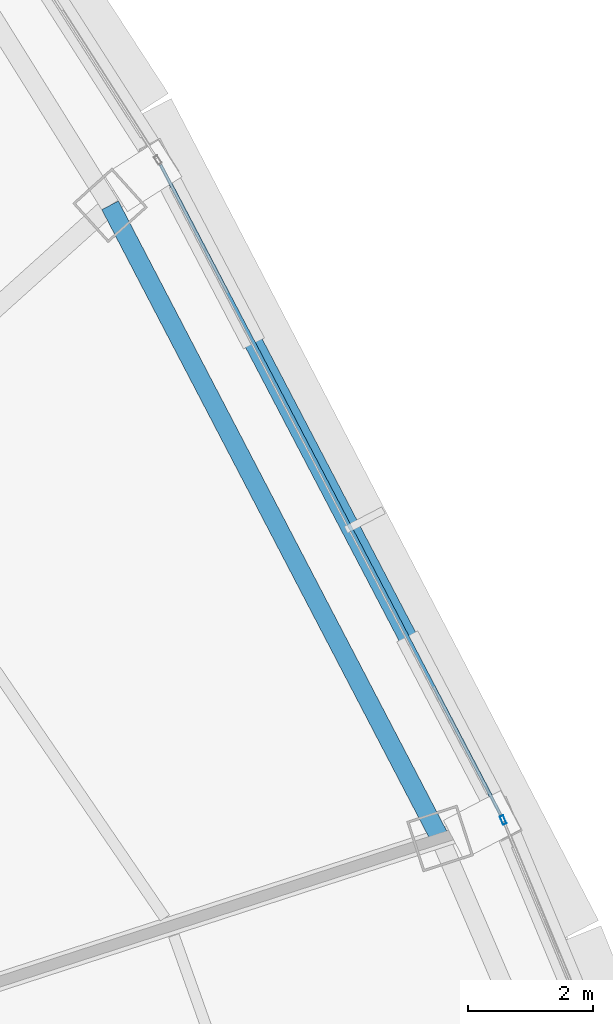
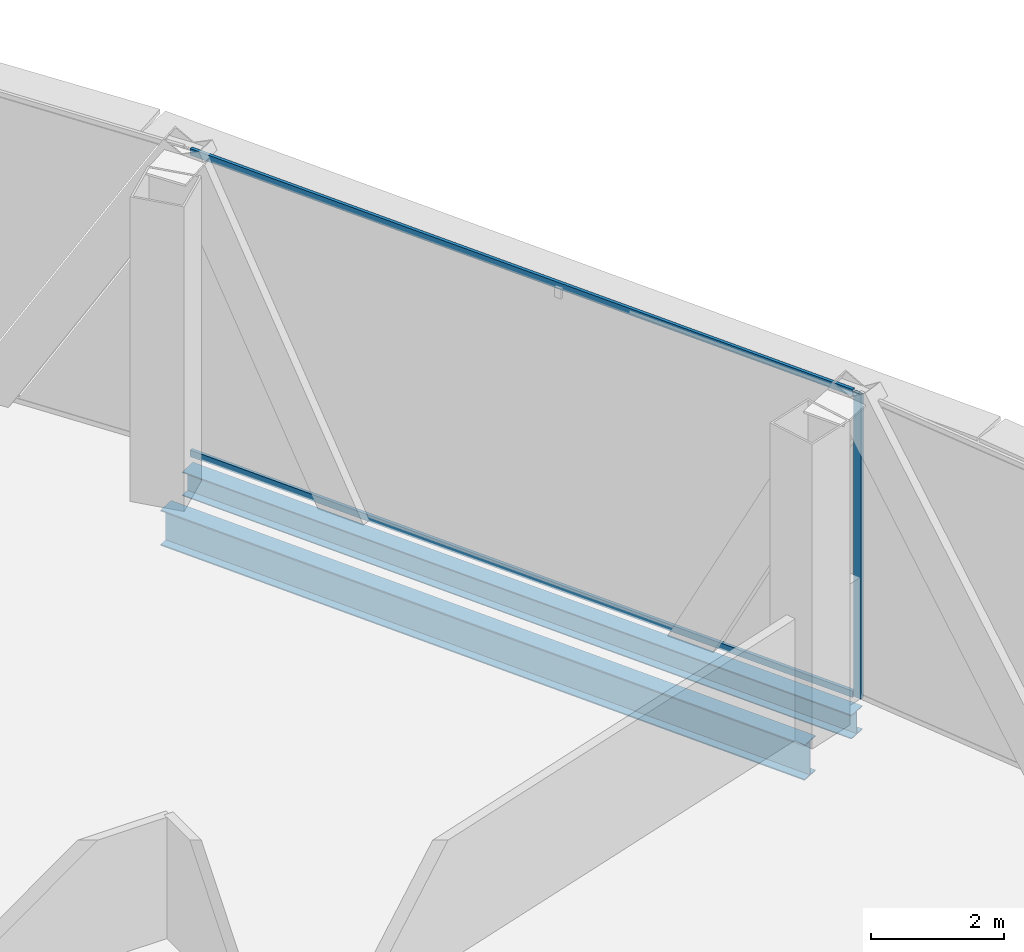
# One storey, part 16 of 38: 3 members, 2 beams, 2 elements without a shape of their own.
"""IFC4 building model written with IfcOpenShell, lengths in metres."""

import ifcopenshell
import ifcopenshell.guid

model = None  # the IFC model being written
_history = None  # IfcOwnerHistory: only IFC2X3 demands one
_inside = {}  # id of a spatial element -> (the spatial element, [elements in it])
_under = {}  # id of a project, library or spatial element -> (it, [spatial elements below it])
_declared = {}  # id of a project -> (the project, [libraries it declares])
_typed = {}  # id of a type object -> (the type object, [elements of that type])
_made_of = {}  # id of a material, layer set ... -> (it, [elements and type objects made of it])


def new_model(schema):
    """Start an empty IFC model of exactly this schema.

    Asked for "IFC4X3", IfcOpenShell would pick the latest addendum, in which some entities
    have other attributes; the version numbers below select the first issue.
    IFC2X3 requires an IfcOwnerHistory on every rooted entity: one is made here for all.
    """
    global model, _history
    if schema == "IFC4X3":
        model = ifcopenshell.file(schema_version=(4, 3, 0, 0))
    else:
        model = ifcopenshell.file(schema=schema)
    _inside.clear()
    _under.clear()
    _declared.clear()
    _typed.clear()
    _made_of.clear()
    _history = None
    if model.schema == "IFC2X3":
        org = make("IfcOrganization", Name="unknown")
        user = make(
            "IfcPersonAndOrganization",
            ThePerson=make("IfcPerson", FamilyName="unknown"),
            TheOrganization=org,
        )
        app = make(
            "IfcApplication",
            ApplicationDeveloper=org,
            Version="unknown",
            ApplicationFullName="unknown",
            ApplicationIdentifier="unknown",
        )
        _history = make(
            "IfcOwnerHistory",
            OwningUser=user,
            OwningApplication=app,
            ChangeAction="ADDED",
            CreationDate=0,
        )
    return model


def make(cls, **values):
    """One entity of the class cls with the attributes given. An attribute that is None is left unset."""
    return model.create_entity(
        cls, **{name: value for name, value in values.items() if value is not None}
    )


def rooted(cls, **values):
    """An entity with a GlobalId (a new one), such as an element, a storey or a relation."""
    return make(cls, GlobalId=ifcopenshell.guid.new(), OwnerHistory=_history, **values)


def si_unit(unit_type, name, prefix=None):
    """IfcSIUnit, for example si_unit("LENGTHUNIT", "METRE", prefix="MILLI")."""
    return make("IfcSIUnit", UnitType=unit_type, Prefix=prefix, Name=name)


def assignment(units):
    """IfcUnitAssignment: the units of a project."""
    return None if units is None else make("IfcUnitAssignment", Units=units)


def point(xyz):
    """IfcCartesianPoint."""
    return None if xyz is None else make("IfcCartesianPoint", Coordinates=xyz)


def direction(xyz):
    """IfcDirection."""
    return None if xyz is None else make("IfcDirection", DirectionRatios=xyz)


def frame(location, z_axis=None, x_axis=None):
    """IfcAxis2Placement3D, a coordinate frame: its origin and axes. An axis left out is left unset."""
    return make(
        "IfcAxis2Placement3D",
        Location=point(location),
        Axis=direction(z_axis),
        RefDirection=direction(x_axis),
    )


def frame_2d(location, x_axis=None):
    """IfcAxis2Placement2D, a coordinate frame in the plane: its origin and x axis."""
    return make(
        "IfcAxis2Placement2D", Location=point(location), RefDirection=direction(x_axis)
    )


def origin():
    """The frame at (0, 0, 0) with its axes left unset."""
    return frame((0.0, 0.0, 0.0))


def origin_2d():
    """The frame at (0, 0) in the plane with its x axis left unset."""
    return frame_2d((0.0, 0.0))


def place(relative_to, where):
    """IfcLocalPlacement: puts the frame where relative to a parent placement (None: the world)."""
    return make(
        "IfcLocalPlacement", PlacementRelTo=relative_to, RelativePlacement=where
    )


def context(
    kind, dimensions, precision=None, world=None, true_north=None, identifier=None
):
    """IfcGeometricRepresentationContext, for example the 3D "Model" context."""
    return make(
        "IfcGeometricRepresentationContext",
        ContextIdentifier=identifier,
        ContextType=kind,
        CoordinateSpaceDimension=dimensions,
        Precision=precision,
        WorldCoordinateSystem=world,
        TrueNorth=true_north,
    )


def subcontext(parent, identifier, kind, view, scale=None):
    """IfcGeometricRepresentationSubContext, for example "Body" below "Model"."""
    return make(
        "IfcGeometricRepresentationSubContext",
        ContextIdentifier=identifier,
        ContextType=kind,
        ParentContext=parent,
        TargetScale=scale,
        TargetView=view,
    )


def project(units=None, contexts=None):
    """IfcProject with its units and contexts."""
    return rooted(
        "IfcProject",
        Name="project",
        RepresentationContexts=contexts,
        UnitsInContext=assignment(units),
    )


def spatial(cls, under=None, at=None, **own):
    """A site, building, storey or space (cls), placed at a placement, below another one or the project."""
    s = rooted(cls, ObjectPlacement=at, **own)
    if under is not None:
        _under.setdefault(under.id(), (under, []))[1].append(s)
    return s


def profile(cls, at=None, kind="AREA", **sizes):
    """A parametric profile (cls). Its sizes go by their IFC names, for example OverallWidth=200.0."""
    return make(cls, ProfileType=kind, Position=at, **sizes)


def hollow_rectangle(**sizes):
    """IfcRectangleHollowProfileDef."""
    return profile("IfcRectangleHollowProfileDef", **sizes)


def i_section(**sizes):
    """IfcIShapeProfileDef."""
    return profile("IfcIShapeProfileDef", **sizes)


def extrude(swept, where, along, depth):
    """IfcExtrudedAreaSolid: the profile swept, set in the frame where, extruded along a direction by depth."""
    return make(
        "IfcExtrudedAreaSolid",
        SweptArea=swept,
        Position=where,
        ExtrudedDirection=direction(along),
        Depth=depth,
    )


def shape(context_of_items, identifier, shape_type, items):
    """IfcShapeRepresentation: the items that make up one representation, for example the "Body"."""
    return make(
        "IfcShapeRepresentation",
        ContextOfItems=context_of_items,
        RepresentationIdentifier=identifier,
        RepresentationType=shape_type,
        Items=items,
    )


def source(mapping_origin, context_of_items, identifier, shape_type, items):
    """IfcRepresentationMap: a shape defined once, which mapped items show again and again."""
    return make(
        "IfcRepresentationMap",
        MappingOrigin=mapping_origin,
        MappedRepresentation=shape(context_of_items, identifier, shape_type, items),
    )


def transform(
    local_origin,
    x_axis=None,
    y_axis=None,
    z_axis=None,
    scale=None,
    scale2=None,
    scale3=None,
    uniform=True,
):
    """IfcCartesianTransformationOperator3D, or its non-uniform kind. x_axis, y_axis, z_axis: its Axis1, 2, 3."""
    if uniform:
        return make(
            "IfcCartesianTransformationOperator3D",
            Axis1=direction(x_axis),
            Axis2=direction(y_axis),
            LocalOrigin=point(local_origin),
            Scale=scale,
            Axis3=direction(z_axis),
        )
    return make(
        "IfcCartesianTransformationOperator3DnonUniform",
        Axis1=direction(x_axis),
        Axis2=direction(y_axis),
        LocalOrigin=point(local_origin),
        Scale=scale,
        Axis3=direction(z_axis),
        Scale2=scale2,
        Scale3=scale3,
    )


def mapped(mapping_source, mapping_target):
    """IfcMappedItem: shows the shape of a source again, moved by a transform."""
    return make(
        "IfcMappedItem", MappingSource=mapping_source, MappingTarget=mapping_target
    )


def material(Name=None, Category=None):
    """IfcMaterial."""
    return make("IfcMaterial", Name=Name, Category=Category)


def layer(
    of_material, thickness, ventilated=None, Name=None, Category=None, Priority=None
):
    """IfcMaterialLayer: one layer of a wall or slab, of a material (None: an air gap)."""
    return make(
        "IfcMaterialLayer",
        Material=of_material,
        LayerThickness=thickness,
        IsVentilated=ventilated,
        Name=Name,
        Category=Category,
        Priority=Priority,
    )


def layer_set(layers, Name=None):
    """IfcMaterialLayerSet."""
    return make("IfcMaterialLayerSet", MaterialLayers=layers, LayerSetName=Name)


def material_profile(
    of_material, cross_section, Name=None, Category=None, Priority=None
):
    """IfcMaterialProfile: a cross section and its material."""
    return make(
        "IfcMaterialProfile",
        Name=Name,
        Material=of_material,
        Profile=cross_section,
        Priority=Priority,
        Category=Category,
    )


def profile_set(profiles, Name=None, composite=None):
    """IfcMaterialProfileSet."""
    return make(
        "IfcMaterialProfileSet",
        Name=Name,
        MaterialProfiles=profiles,
        CompositeProfile=composite,
    )


def made_of(thing, what):
    """Note that an element or type object is made of a material, layer set ...; save() writes the relation."""
    if what is not None:
        _made_of.setdefault(what.id(), (what, []))[1].append(thing)
    return thing


def type_object(cls, material=None, **own):
    """A type object (cls), such as IfcWallType, which elements share."""
    return made_of(rooted(cls, **own), material)


def element(
    cls,
    number,
    at=None,
    inside=None,
    cuts=None,
    type_object=None,
    material=None,
    context=None,
    identifier="Body",
    shape_type=None,
    held_by="IfcProductDefinitionShape",
    body=None,
    shapes=None,
    **own,
):
    """One element of the class cls, such as IfcWall. Its Tag is "e" and its number.

    at: its placement. inside: the storey or other place that contains it. cuts: it is an
    opening in that element (IfcRelVoidsElement). A single representation is given by context,
    identifier, shape_type and body (its items); several are given by shapes. held_by: the class
    of the entity that holds the representations. save() writes the other relations.
    """
    e = rooted(cls, Tag="e%d" % number, ObjectPlacement=at, **own)
    if body is not None:
        shapes = [shape(context, identifier, shape_type, body)]
    if shapes is not None:
        e.Representation = make(held_by, Representations=shapes)
    if inside is not None:
        _inside.setdefault(inside.id(), (inside, []))[1].append(e)
    if cuts is not None:
        rooted(
            "IfcRelVoidsElement", RelatingBuildingElement=cuts, RelatedOpeningElement=e
        )
    if type_object is not None:
        _typed.setdefault(type_object.id(), (type_object, []))[1].append(e)
    return made_of(e, material)


def aggregate(whole, parts):
    """IfcRelAggregates: a whole, such as a stair, and the parts it consists of."""
    return rooted("IfcRelAggregates", RelatingObject=whole, RelatedObjects=parts)


def save(model, path):
    """Write the relations noted so far, then the file.

    IfcRelAggregates (storeys below a building ...), IfcRelContainedInSpatialStructure (elements
    in a storey), IfcRelDefinesByType, IfcRelAssociatesMaterial and IfcRelDeclares: one each for
    every whole, place, type object, material and project.
    """
    for whole, parts in _under.values():
        aggregate(whole, parts)
    for where, things in _inside.values():
        rooted(
            "IfcRelContainedInSpatialStructure",
            RelatedElements=things,
            RelatingStructure=where,
        )
    for kind, things in _typed.values():
        rooted("IfcRelDefinesByType", RelatedObjects=things, RelatingType=kind)
    for what, things in _made_of.values():
        rooted("IfcRelAssociatesMaterial", RelatedObjects=things, RelatingMaterial=what)
    for by, libraries in _declared.values():
        rooted("IfcRelDeclares", RelatingContext=by, RelatedDefinitions=libraries)
    model.write(path)


model = new_model("IFC4")

# Units and contexts
model_context = context("Model", 3, precision=1e-05, world=origin(), true_north=direction((0.0, 1.0)))
body_context = subcontext(model_context, "Body", "Model", "MODEL_VIEW")
ifc_project = project(units=[si_unit("LENGTHUNIT", "METRE"), si_unit("AREAUNIT", "SQUARE_METRE"), si_unit("VOLUMEUNIT", "CUBIC_METRE"), si_unit("PLANEANGLEUNIT", "RADIAN"), si_unit("MASSUNIT", "GRAM", prefix="KILO"), si_unit("THERMODYNAMICTEMPERATUREUNIT", "KELVIN"), si_unit("POWERUNIT", "WATT")], contexts=[model_context])

# Site, building, storey
site_placement = place(None, origin())
site = spatial("IfcSite", under=ifc_project, at=site_placement, CompositionType="ELEMENT")
building_placement = place(site_placement, origin())
building = spatial("IfcBuilding", under=site, at=building_placement, Name="Yunzhuo Pagoda Commons", CompositionType="ELEMENT")
storey_placement = place(building_placement, frame((0.0, 0.0, 266.909912109375)))
storey = spatial("IfcBuildingStorey", under=building, at=storey_placement, Name="L67", CompositionType="ELEMENT", Elevation=266.909912109375)

# Beams
ifc_material_1 = material(Name="Structural steel Q355B", Category="steel")
ifc_material_profile_1 = material_profile(ifc_material_1, i_section(OverallWidth=0.300048828125, OverallDepth=0.64990234375, WebThickness=0.012939453125, FlangeThickness=0.02197265625, at=origin_2d()), Name="Structural steel Q355B")
ifc_profile_set_1 = profile_set([ifc_material_profile_1], Name="Structural steel Q355B")
beam_type_1 = type_object("IfcBeamType", Name="B-RG2 Beam HN 650x300x13x22", PredefinedType="BEAM", material=ifc_profile_set_1)
shared_shape_1 = source(origin(), body_context, "Body", "SweptSolid", [
    extrude(i_section(OverallWidth=0.300048828125, OverallDepth=0.64990234375, WebThickness=0.012939453125, FlangeThickness=0.02197265625, at=origin_2d()), origin(), (0.0, 0.0, 1.0), 11.43896484375),
])
beam_1_placement = place(storey_placement, frame((73.898681640625, 42.114990234375, -0.5849609375), z_axis=(-0.462175736513, 0.886788356136, 0.0), x_axis=(-0.886788356136, -0.462175736513, 0.0)))
element("IfcBeam", 1, at=beam_1_placement, inside=storey, type_object=beam_type_1, Name="L67 column-ring beam 6", PredefinedType="BEAM", context=body_context, shape_type="MappedRepresentation", body=[
    mapped(shared_shape_1, transform((0.0, 0.0, 0.0), scale=1.0)),
])
ifc_material_profile_2 = material_profile(ifc_material_1, i_section(OverallWidth=0.300048828125, OverallDepth=0.43994140625, WebThickness=0.010986328125, FlangeThickness=0.01806640625, at=origin_2d()), Name="Structural steel Q355B")
ifc_profile_set_2 = profile_set([ifc_material_profile_2], Name="Structural steel Q355B")
beam_type_2 = type_object("IfcBeamType", Name="B-SP2 Beam HM 440x300x11x18", PredefinedType="BEAM", material=ifc_profile_set_2)
shared_shape_2 = source(origin(), body_context, "Body", "SweptSolid", [
    extrude(i_section(OverallWidth=0.300048828125, OverallDepth=0.43994140625, WebThickness=0.010986328125, FlangeThickness=0.01806640625, at=origin_2d()), origin(), (0.0, 0.0, 1.0), 11.875244140625),
])
beam_2_placement = place(storey_placement, frame((74.897216796875, 42.439453125, -0.47998046875), z_axis=(-0.463576744951, 0.88605677106, 0.0), x_axis=(-0.88605677106, -0.463576744951, 0.0)))
element("IfcBeam", 2, at=beam_2_placement, inside=storey, type_object=beam_type_2, Name="L67 facade edge spandrel beam F2.2", PredefinedType="BEAM", context=body_context, shape_type="MappedRepresentation", body=[
    mapped(shared_shape_2, transform((0.0, 0.0, 0.0), scale=1.0)),
])

# Curtain wall, members
ifc_material_2 = material(Name="Anodized aluminium 6063-T6", Category="aluminium")
ifc_layer = layer(ifc_material_2, 0.139892578125)
ifc_layer_set = layer_set([ifc_layer], Name="Anodized aluminium 6063-T6")
curtain_wall_type = type_object("IfcCurtainWallType", Name="CW-HI High-Zone Ribbon Curtain Wall", PredefinedType="NOTDEFINED", material=ifc_layer_set)
curtain_wall_1_placement = place(storey_placement, origin())
curtain_wall_1 = element("IfcCurtainWall", 3, at=curtain_wall_1_placement, inside=storey, type_object=curtain_wall_type, Name="L67 curtain wall CW-L67-F2B3", PredefinedType="NOTDEFINED")
ifc_material_profile_3 = material_profile(ifc_material_2, hollow_rectangle(XDim=0.054931640625, YDim=0.1201171875, WallThickness=0.00341796875, at=origin_2d()), Name="Anodized aluminium 6063-T6")
ifc_profile_set_3 = profile_set([ifc_material_profile_3], Name="Anodized aluminium 6063-T6")
member_type_1 = type_object("IfcMemberType", Name="CW-HI-T Transom RHS 120x55x3.5", PredefinedType="USERDEFINED", material=ifc_profile_set_3)
shared_shape_3 = source(origin(), body_context, "Body", "SweptSolid", [
    extrude(hollow_rectangle(XDim=0.054931640625, YDim=0.1201171875, WallThickness=0.00341796875, at=origin_2d()), origin(), (0.0, 0.0, 1.0), 11.755126953125),
])
member_1_placement = place(storey_placement, frame((74.869384765625, 42.49267578125, 0.027587890625), z_axis=(-0.463578557885, 0.886055822547, 0.0), x_axis=(-0.886055822547, -0.463578557885, 0.0)))
member_1 = element("IfcMember", 4, at=member_1_placement, type_object=member_type_1, Name="CW transom 1.1", ObjectType="TRANSOM", PredefinedType="USERDEFINED", context=body_context, shape_type="MappedRepresentation", body=[
    mapped(shared_shape_3, transform((0.0, 0.0, 0.0), scale=1.0)),
])
member_2_placement = place(storey_placement, frame((74.869384765625, 42.49267578125, 5.54248046875), z_axis=(-0.463578557885, 0.886055822547, 0.0), x_axis=(-0.886055822547, -0.463578557885, 0.0)))
member_2 = element("IfcMember", 5, at=member_2_placement, type_object=member_type_1, Name="CW transom 1.2", ObjectType="TRANSOM", PredefinedType="USERDEFINED", context=body_context, shape_type="MappedRepresentation", body=[
    mapped(shared_shape_3, transform((0.0, 0.0, 0.0), scale=1.0)),
])
aggregate(curtain_wall_1, [member_1, member_2])

# Curtain wall, member
curtain_wall_2_placement = place(storey_placement, origin())
curtain_wall_2 = element("IfcCurtainWall", 6, at=curtain_wall_2_placement, inside=storey, type_object=curtain_wall_type, Name="L67 curtain wall CW-L67-F2B2", PredefinedType="NOTDEFINED")
ifc_material_profile_4 = material_profile(ifc_material_2, hollow_rectangle(XDim=0.06005859375, YDim=0.139892578125, WallThickness=0.00341796875, at=origin_2d()), Name="Anodized aluminium 6063-T6")
ifc_profile_set_4 = profile_set([ifc_material_profile_4], Name="Anodized aluminium 6063-T6")
member_type_2 = type_object("IfcMemberType", Name="CW-HI-M Mullion RHS 140x60x3.5", PredefinedType="MULLION", material=ifc_profile_set_4)
shared_shape_4 = source(origin(), body_context, "Body", "SweptSolid", [
    extrude(hollow_rectangle(XDim=0.06005859375, YDim=0.139892578125, WallThickness=0.00341796875, at=origin_2d()), origin(), (0.0, 0.0, 1.0), 5.5703125),
])
member_3_placement = place(storey_placement, frame((74.90869140625, 42.41162109375, 0.0), z_axis=(0.0, 0.0, 1.0), x_axis=(-0.922909845486, -0.385016125772, 0.0)))
member_3 = element("IfcMember", 7, at=member_3_placement, type_object=member_type_2, Name="CW mullion 2", PredefinedType="MULLION", context=body_context, shape_type="MappedRepresentation", body=[
    mapped(shared_shape_4, transform((0.0, 0.0, 0.0), scale=1.0)),
])
aggregate(curtain_wall_2, [member_3])

save(model, "model.ifc")
